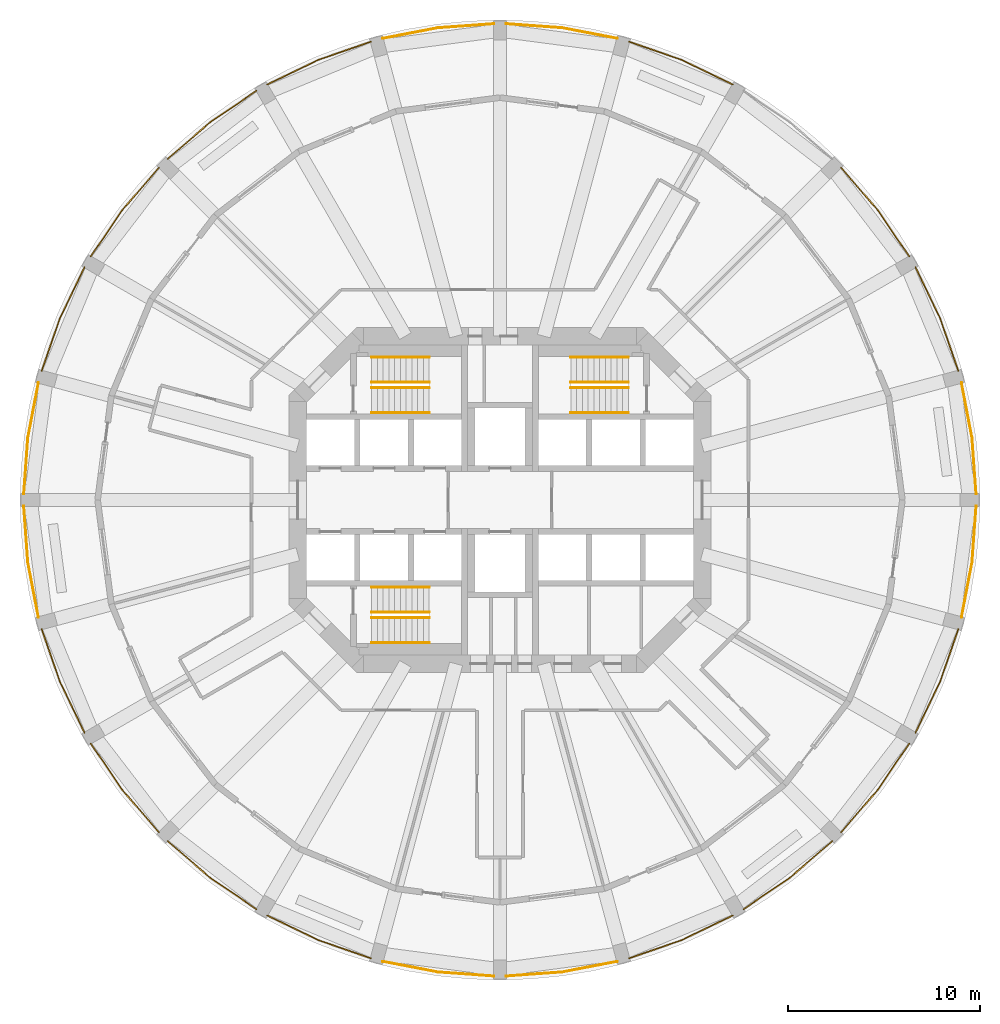
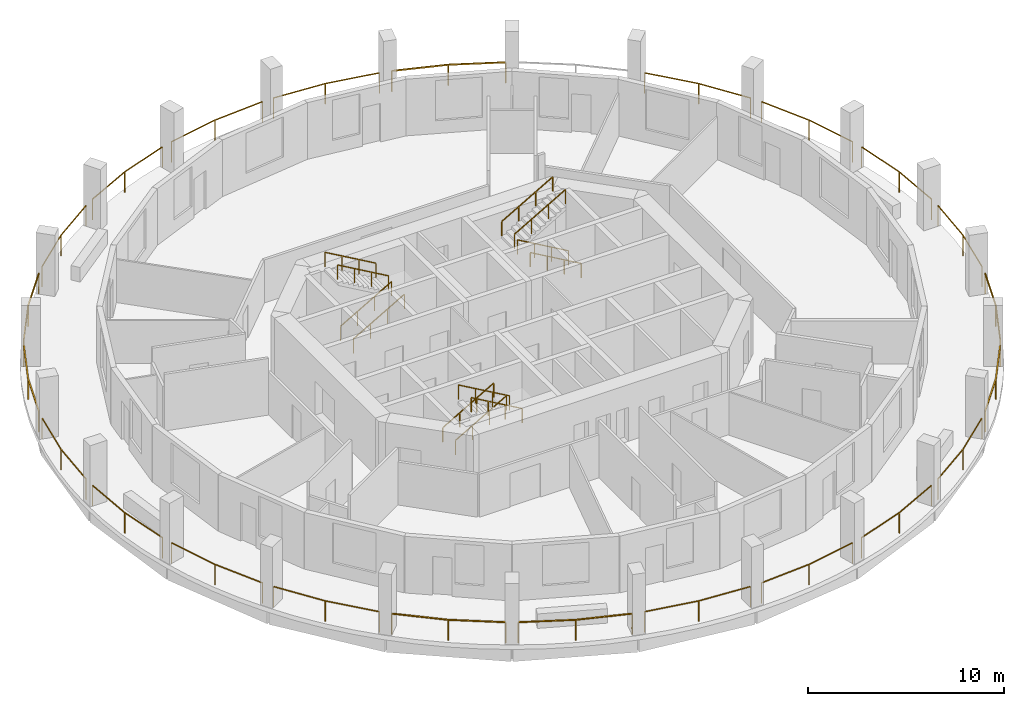
# One storey, part 7 of 8: 35 railings.
"""IFC4 building model written with IfcOpenShell, lengths in metres."""

from ifc_helpers import new_model, si_unit, direction, frame, origin, origin_2d, place, context, subcontext, project, spatial, rectangle, extrude, material, type_object, element, save


model = new_model("IFC4")

# Units and contexts
model_context = context("Model", 3, precision=1e-05, world=origin(), true_north=direction((0.0, 1.0)))
body_context = subcontext(model_context, "Body", "Model", "MODEL_VIEW")
ifc_project = project(units=[si_unit("LENGTHUNIT", "METRE"), si_unit("AREAUNIT", "SQUARE_METRE"), si_unit("VOLUMEUNIT", "CUBIC_METRE"), si_unit("PLANEANGLEUNIT", "RADIAN"), si_unit("MASSUNIT", "GRAM", prefix="KILO")], contexts=[model_context])

# Site, building, storey
site_placement = place(None, origin())
site = spatial("IfcSite", under=ifc_project, at=site_placement, CompositionType="ELEMENT")
building_placement = place(site_placement, origin())
building = spatial("IfcBuilding", under=site, at=building_placement, Name="Torre Triforio", CompositionType="ELEMENT")
storey_placement = place(building_placement, frame((0.0, 0.0, 123.800048828125)))
storey = spatial("IfcBuildingStorey", under=building, at=storey_placement, Name="L27", CompositionType="ELEMENT", Elevation=123.800048828125)

# Railings
ifc_material = material(Name="Stainless steel AISI 316", Category="steel")
railing_type_1 = type_object("IfcRailingType", Name="HANDRAIL 920", PredefinedType="HANDRAIL", material=ifc_material)
for number, where, name in (
    (1, (-6.699951171875, 4.550048828125, 0.172607421875), "Handrail ST1"),
    (2, (-6.699951171875, 5.85009765625, 0.172607421875), "Handrail ST1"),
):
    element("IfcRailing", number, at=place(storey_placement, frame(where)), inside=storey, type_object=railing_type_1, Name=name, PredefinedType="HANDRAIL", context=body_context, shape_type="SweptSolid", body=[
        extrude(rectangle(XDim=0.048095703125, YDim=0.048095703125, at=origin_2d()), frame((0.0, 0.0, 0.89599609375), z_axis=(0.866619684472, 0.0, 0.498969260062), x_axis=(0.0, 1.0, 0.0)), (0.0, 0.0, 1.0), 3.461669921875),
        extrude(rectangle(XDim=0.0419921875, YDim=0.0419921875, at=origin_2d()), origin(), (0.0, 0.0, 1.0), 0.871826171875),
        extrude(rectangle(XDim=0.0419921875, YDim=0.0419921875, at=origin_2d()), frame((1.0, 0.0, 0.57568359375)), (0.0, 0.0, 1.0), 0.871826171875),
        extrude(rectangle(XDim=0.0419921875, YDim=0.0419921875, at=origin_2d()), frame((2.0, 0.0, 1.151611328125)), (0.0, 0.0, 1.0), 0.871826171875),
        extrude(rectangle(XDim=0.0419921875, YDim=0.0419921875, at=origin_2d()), frame((3.0, 0.0, 1.727294921875)), (0.0, 0.0, 1.0), 0.871826171875),
    ])
for number, where, name in (
    (3, (-3.699951171875, 7.449951171875, 2.07275390625), "Handrail ST1"),
    (4, (-3.699951171875, 6.14990234375, 2.07275390625), "Handrail ST1"),
    (5, (6.699951171875, 4.550048828125, 0.172607421875), "Handrail ST2"),
    (6, (6.699951171875, 5.85009765625, 0.172607421875), "Handrail ST2"),
):
    element("IfcRailing", number, at=place(storey_placement, frame(where)), inside=storey, type_object=railing_type_1, Name=name, PredefinedType="HANDRAIL", context=body_context, shape_type="SweptSolid", body=[
        extrude(rectangle(XDim=0.048095703125, YDim=0.048095703125, at=origin_2d()), frame((0.0, 0.0, 0.89599609375), z_axis=(-0.866619684472, 0.0, 0.498969260062), x_axis=(0.0, -1.0, 0.0)), (0.0, 0.0, 1.0), 3.461669921875),
        extrude(rectangle(XDim=0.0419921875, YDim=0.0419921875, at=origin_2d()), origin(), (0.0, 0.0, 1.0), 0.871826171875),
        extrude(rectangle(XDim=0.0419921875, YDim=0.0419921875, at=origin_2d()), frame((-1.0, 0.0, 0.57568359375)), (0.0, 0.0, 1.0), 0.871826171875),
        extrude(rectangle(XDim=0.0419921875, YDim=0.0419921875, at=origin_2d()), frame((-2.0, 0.0, 1.151611328125)), (0.0, 0.0, 1.0), 0.871826171875),
        extrude(rectangle(XDim=0.0419921875, YDim=0.0419921875, at=origin_2d()), frame((-3.0, 0.0, 1.727294921875)), (0.0, 0.0, 1.0), 0.871826171875),
    ])
for number, where, name in (
    (7, (3.699951171875, 7.449951171875, 2.07275390625), "Handrail ST2"),
    (8, (3.699951171875, 6.14990234375, 2.07275390625), "Handrail ST2"),
    (9, (-6.699951171875, -4.550048828125, 0.172607421875), "Handrail ST3"),
    (10, (-6.699951171875, -5.85009765625, 0.172607421875), "Handrail ST3"),
):
    element("IfcRailing", number, at=place(storey_placement, frame(where)), inside=storey, type_object=railing_type_1, Name=name, PredefinedType="HANDRAIL", context=body_context, shape_type="SweptSolid", body=[
        extrude(rectangle(XDim=0.048095703125, YDim=0.048095703125, at=origin_2d()), frame((0.0, 0.0, 0.89599609375), z_axis=(0.866619684472, 0.0, 0.498969260062), x_axis=(0.0, 1.0, 0.0)), (0.0, 0.0, 1.0), 3.461669921875),
        extrude(rectangle(XDim=0.0419921875, YDim=0.0419921875, at=origin_2d()), origin(), (0.0, 0.0, 1.0), 0.871826171875),
        extrude(rectangle(XDim=0.0419921875, YDim=0.0419921875, at=origin_2d()), frame((1.0, 0.0, 0.57568359375)), (0.0, 0.0, 1.0), 0.871826171875),
        extrude(rectangle(XDim=0.0419921875, YDim=0.0419921875, at=origin_2d()), frame((2.0, 0.0, 1.151611328125)), (0.0, 0.0, 1.0), 0.871826171875),
        extrude(rectangle(XDim=0.0419921875, YDim=0.0419921875, at=origin_2d()), frame((3.0, 0.0, 1.727294921875)), (0.0, 0.0, 1.0), 0.871826171875),
    ])
for number, where, name in (
    (11, (-3.699951171875, -7.449951171875, 2.07275390625), "Handrail ST3"),
    (12, (-3.699951171875, -6.14990234375, 2.07275390625), "Handrail ST3"),
):
    element("IfcRailing", number, at=place(storey_placement, frame(where)), inside=storey, type_object=railing_type_1, Name=name, PredefinedType="HANDRAIL", context=body_context, shape_type="SweptSolid", body=[
        extrude(rectangle(XDim=0.048095703125, YDim=0.048095703125, at=origin_2d()), frame((0.0, 0.0, 0.89599609375), z_axis=(-0.866619684472, 0.0, 0.498969260062), x_axis=(0.0, -1.0, 0.0)), (0.0, 0.0, 1.0), 3.461669921875),
        extrude(rectangle(XDim=0.0419921875, YDim=0.0419921875, at=origin_2d()), origin(), (0.0, 0.0, 1.0), 0.871826171875),
        extrude(rectangle(XDim=0.0419921875, YDim=0.0419921875, at=origin_2d()), frame((-1.0, 0.0, 0.57568359375)), (0.0, 0.0, 1.0), 0.871826171875),
        extrude(rectangle(XDim=0.0419921875, YDim=0.0419921875, at=origin_2d()), frame((-2.0, 0.0, 1.151611328125)), (0.0, 0.0, 1.0), 0.871826171875),
        extrude(rectangle(XDim=0.0419921875, YDim=0.0419921875, at=origin_2d()), frame((-3.0, 0.0, 1.727294921875)), (0.0, 0.0, 1.0), 0.871826171875),
    ])
railing_type_2 = type_object("IfcRailingType", Name="Loggia guard 1300", PredefinedType="GUARDRAIL", material=ifc_material)
railing_1_placement = place(storey_placement, frame((24.85009765625, 0.320068359375, 0.0)))
element("IfcRailing", 13, at=railing_1_placement, inside=storey, type_object=railing_type_2, Name="Loggia guard L27 bay 01", PredefinedType="GUARDRAIL", context=body_context, shape_type="SweptSolid", body=[
    extrude(rectangle(XDim=0.050048828125, YDim=0.050048828125, at=origin_2d()), frame((0.0, 0.0, 1.27490234375), z_axis=(-0.072543227511, 0.997365269168, 0.0), x_axis=(-0.997365269168, -0.072543227511, 0.0)), (0.0, 0.0, 1.0), 2.931396484375),
    extrude(rectangle(XDim=0.050048828125, YDim=0.050048828125, at=origin_2d()), frame((-0.212646484375, 2.923583984375, 1.27490234375), z_axis=(-0.188068851895, 0.982155846568, 0.0), x_axis=(-0.982155846568, -0.188068851895, 0.0)), (0.0, 0.0, 1.0), 2.93115234375),
    extrude(rectangle(XDim=0.0400390625, YDim=0.0400390625, at=origin_2d()), origin(), (0.0, 0.0, 1.0), 1.25),
    extrude(rectangle(XDim=0.0400390625, YDim=0.0400390625, at=origin_2d()), frame((-0.212646484375, 2.923583984375, 0.0)), (0.0, 0.0, 1.0), 1.25),
    extrude(rectangle(XDim=0.0400390625, YDim=0.0400390625, at=origin_2d()), frame((-0.763916015625, 5.802490234375, 0.0)), (0.0, 0.0, 1.0), 1.25),
])
railing_2_placement = place(storey_placement, frame((23.92041015625, 6.74072265625, 0.0)))
element("IfcRailing", 14, at=railing_2_placement, inside=storey, type_object=railing_type_2, Name="Loggia guard L27 bay 02", PredefinedType="GUARDRAIL", context=body_context, shape_type="SweptSolid", body=[
    extrude(rectangle(XDim=0.050048828125, YDim=0.050048828125, at=origin_2d()), frame((0.0, 0.0, 1.27490234375), z_axis=(-0.328145883403, 0.944627058264, 0.0), x_axis=(-0.944627058264, -0.328145883403, 0.0)), (0.0, 0.0, 1.0), 2.931396484375),
    extrude(rectangle(XDim=0.050048828125, YDim=0.050048828125, at=origin_2d()), frame((-0.9619140625, 2.76904296875, 1.27490234375), z_axis=(-0.435917913275, 0.899986429279, 0.0), x_axis=(-0.899986429279, -0.435917913275, 0.0)), (0.0, 0.0, 1.0), 2.931396484375),
    extrude(rectangle(XDim=0.0400390625, YDim=0.0400390625, at=origin_2d()), origin(), (0.0, 0.0, 1.0), 1.25),
    extrude(rectangle(XDim=0.0400390625, YDim=0.0400390625, at=origin_2d()), frame((-0.9619140625, 2.76904296875, 0.0)), (0.0, 0.0, 1.0), 1.25),
    extrude(rectangle(XDim=0.0400390625, YDim=0.0400390625, at=origin_2d()), frame((-2.23974609375, 5.4072265625, 0.0)), (0.0, 0.0, 1.0), 1.25),
])
railing_3_placement = place(storey_placement, frame((21.360595703125, 12.7021484375, 0.0)))
element("IfcRailing", 15, at=railing_3_placement, inside=storey, type_object=railing_type_2, Name="Loggia guard L27 bay 03", PredefinedType="GUARDRAIL", context=body_context, shape_type="SweptSolid", body=[
    extrude(rectangle(XDim=0.050048828125, YDim=0.050048828125, at=origin_2d()), frame((0.0, 0.0, 1.27490234375), z_axis=(-0.561466791934, 0.827499269821, 0.0), x_axis=(-0.827499269821, -0.561466791934, 0.0)), (0.0, 0.0, 1.0), 2.93115234375),
    extrude(rectangle(XDim=0.050048828125, YDim=0.050048828125, at=origin_2d()), frame((-1.645751953125, 2.425537109375, 1.27490234375), z_axis=(-0.653981928353, 0.756510170049, 0.0), x_axis=(-0.756510170049, -0.653981928353, 0.0)), (0.0, 0.0, 1.0), 2.93115234375),
    extrude(rectangle(XDim=0.0400390625, YDim=0.0400390625, at=origin_2d()), origin(), (0.0, 0.0, 1.0), 1.25),
    extrude(rectangle(XDim=0.0400390625, YDim=0.0400390625, at=origin_2d()), frame((-1.645751953125, 2.425537109375, 0.0)), (0.0, 0.0, 1.0), 1.25),
    extrude(rectangle(XDim=0.0400390625, YDim=0.0400390625, at=origin_2d()), frame((-3.562744140625, 4.64306640625, 0.0)), (0.0, 0.0, 1.0), 1.25),
])
railing_4_placement = place(storey_placement, frame((12.14794921875, 21.6806640625, 0.0)))
element("IfcRailing", 16, at=railing_4_placement, inside=storey, type_object=railing_type_2, Name="Loggia guard L27 bay 05", PredefinedType="GUARDRAIL", context=body_context, shape_type="SweptSolid", body=[
    extrude(rectangle(XDim=0.050048828125, YDim=0.050048828125, at=origin_2d()), frame((0.0, 0.0, 1.27490234375), z_axis=(-0.899986429279, 0.435917913275, 0.0), x_axis=(-0.435917913275, -0.899986429279, 0.0)), (0.0, 0.0, 1.0), 2.931396484375),
    extrude(rectangle(XDim=0.050048828125, YDim=0.050048828125, at=origin_2d()), frame((-2.63818359375, 1.27783203125, 1.27490234375), z_axis=(-0.944627058264, 0.328145883403, 0.0), x_axis=(-0.328145883403, -0.944627058264, 0.0)), (0.0, 0.0, 1.0), 2.931396484375),
    extrude(rectangle(XDim=0.0400390625, YDim=0.0400390625, at=origin_2d()), origin(), (0.0, 0.0, 1.0), 1.25),
    extrude(rectangle(XDim=0.0400390625, YDim=0.0400390625, at=origin_2d()), frame((-2.63818359375, 1.27783203125, 0.0)), (0.0, 0.0, 1.0), 1.25),
    extrude(rectangle(XDim=0.0400390625, YDim=0.0400390625, at=origin_2d()), frame((-5.4072265625, 2.23974609375, 0.0)), (0.0, 0.0, 1.0), 1.25),
])
railing_5_placement = place(storey_placement, frame((6.12255859375, 24.086181640625, 0.0)))
element("IfcRailing", 17, at=railing_5_placement, inside=storey, type_object=railing_type_2, Name="Loggia guard L27 bay 06", PredefinedType="GUARDRAIL", context=body_context, shape_type="SweptSolid", body=[
    extrude(rectangle(XDim=0.050048828125, YDim=0.050048828125, at=origin_2d()), frame((0.0, 0.0, 1.27490234375), z_axis=(-0.982155846568, 0.188068851895, 0.0), x_axis=(-0.188068851895, -0.982155846568, 0.0)), (0.0, 0.0, 1.0), 2.93115234375),
    extrude(rectangle(XDim=0.050048828125, YDim=0.050048828125, at=origin_2d()), frame((-2.87890625, 0.55126953125, 1.27490234375), z_axis=(-0.997365269168, 0.072543227511, 0.0), x_axis=(-0.072543227511, -0.997365269168, 0.0)), (0.0, 0.0, 1.0), 2.931396484375),
    extrude(rectangle(XDim=0.0400390625, YDim=0.0400390625, at=origin_2d()), origin(), (0.0, 0.0, 1.0), 1.25),
    extrude(rectangle(XDim=0.0400390625, YDim=0.0400390625, at=origin_2d()), frame((-2.87890625, 0.55126953125, 0.0)), (0.0, 0.0, 1.0), 1.25),
    extrude(rectangle(XDim=0.0400390625, YDim=0.0400390625, at=origin_2d()), frame((-5.802490234375, 0.763916015625, 0.0)), (0.0, 0.0, 1.0), 1.25),
])
railing_6_placement = place(storey_placement, frame((-0.320068359375, 24.85009765625, 0.0)))
element("IfcRailing", 18, at=railing_6_placement, inside=storey, type_object=railing_type_2, Name="Loggia guard L27 bay 07", PredefinedType="GUARDRAIL", context=body_context, shape_type="SweptSolid", body=[
    extrude(rectangle(XDim=0.050048828125, YDim=0.050048828125, at=origin_2d()), frame((0.0, 0.0, 1.27490234375), z_axis=(-0.997365269168, -0.072543227511, 0.0), x_axis=(0.072543227511, -0.997365269168, 0.0)), (0.0, 0.0, 1.0), 2.931396484375),
    extrude(rectangle(XDim=0.050048828125, YDim=0.050048828125, at=origin_2d()), frame((-2.923583984375, -0.212646484375, 1.27490234375), z_axis=(-0.982155846568, -0.188068851895, 0.0), x_axis=(0.188068851895, -0.982155846568, 0.0)), (0.0, 0.0, 1.0), 2.93115234375),
    extrude(rectangle(XDim=0.0400390625, YDim=0.0400390625, at=origin_2d()), origin(), (0.0, 0.0, 1.0), 1.25),
    extrude(rectangle(XDim=0.0400390625, YDim=0.0400390625, at=origin_2d()), frame((-2.923583984375, -0.212646484375, 0.0)), (0.0, 0.0, 1.0), 1.25),
    extrude(rectangle(XDim=0.0400390625, YDim=0.0400390625, at=origin_2d()), frame((-5.802490234375, -0.763916015625, 0.0)), (0.0, 0.0, 1.0), 1.25),
])
railing_7_placement = place(storey_placement, frame((-6.74072265625, 23.92041015625, 0.0)))
element("IfcRailing", 19, at=railing_7_placement, inside=storey, type_object=railing_type_2, Name="Loggia guard L27 bay 08", PredefinedType="GUARDRAIL", context=body_context, shape_type="SweptSolid", body=[
    extrude(rectangle(XDim=0.050048828125, YDim=0.050048828125, at=origin_2d()), frame((0.0, 0.0, 1.27490234375), z_axis=(-0.944627058264, -0.328145883403, 0.0), x_axis=(0.328145883403, -0.944627058264, 0.0)), (0.0, 0.0, 1.0), 2.931396484375),
    extrude(rectangle(XDim=0.050048828125, YDim=0.050048828125, at=origin_2d()), frame((-2.76904296875, -0.9619140625, 1.27490234375), z_axis=(-0.899986429279, -0.435917913275, 0.0), x_axis=(0.435917913275, -0.899986429279, 0.0)), (0.0, 0.0, 1.0), 2.931396484375),
    extrude(rectangle(XDim=0.0400390625, YDim=0.0400390625, at=origin_2d()), origin(), (0.0, 0.0, 1.0), 1.25),
    extrude(rectangle(XDim=0.0400390625, YDim=0.0400390625, at=origin_2d()), frame((-2.76904296875, -0.9619140625, 0.0)), (0.0, 0.0, 1.0), 1.25),
    extrude(rectangle(XDim=0.0400390625, YDim=0.0400390625, at=origin_2d()), frame((-5.4072265625, -2.23974609375, 0.0)), (0.0, 0.0, 1.0), 1.25),
])
railing_8_placement = place(storey_placement, frame((-12.7021484375, 21.360595703125, 0.0)))
element("IfcRailing", 20, at=railing_8_placement, inside=storey, type_object=railing_type_2, Name="Loggia guard L27 bay 09", PredefinedType="GUARDRAIL", context=body_context, shape_type="SweptSolid", body=[
    extrude(rectangle(XDim=0.050048828125, YDim=0.050048828125, at=origin_2d()), frame((0.0, 0.0, 1.27490234375), z_axis=(-0.827499269821, -0.561466791934, 0.0), x_axis=(0.561466791934, -0.827499269821, 0.0)), (0.0, 0.0, 1.0), 2.93115234375),
    extrude(rectangle(XDim=0.050048828125, YDim=0.050048828125, at=origin_2d()), frame((-2.425537109375, -1.645751953125, 1.27490234375), z_axis=(-0.756510170049, -0.653981928353, 0.0), x_axis=(0.653981928353, -0.756510170049, 0.0)), (0.0, 0.0, 1.0), 2.93115234375),
    extrude(rectangle(XDim=0.0400390625, YDim=0.0400390625, at=origin_2d()), origin(), (0.0, 0.0, 1.0), 1.25),
    extrude(rectangle(XDim=0.0400390625, YDim=0.0400390625, at=origin_2d()), frame((-2.425537109375, -1.645751953125, 0.0)), (0.0, 0.0, 1.0), 1.25),
    extrude(rectangle(XDim=0.0400390625, YDim=0.0400390625, at=origin_2d()), frame((-4.64306640625, -3.562744140625, 0.0)), (0.0, 0.0, 1.0), 1.25),
])
railing_9_placement = place(storey_placement, frame((-17.7978515625, 17.34521484375, 0.0)))
element("IfcRailing", 21, at=railing_9_placement, inside=storey, type_object=railing_type_2, Name="Loggia guard L27 bay 10", PredefinedType="GUARDRAIL", context=body_context, shape_type="SweptSolid", body=[
    extrude(rectangle(XDim=0.050048828125, YDim=0.050048828125, at=origin_2d()), frame((0.0, 0.0, 1.27490234375), z_axis=(-0.653981928353, -0.756510170049, 0.0), x_axis=(0.756510170049, -0.653981928353, 0.0)), (0.0, 0.0, 1.0), 2.93115234375),
    extrude(rectangle(XDim=0.050048828125, YDim=0.050048828125, at=origin_2d()), frame((-1.9169921875, -2.217529296875, 1.27490234375), z_axis=(-0.561466791934, -0.827499269821, 0.0), x_axis=(0.827499269821, -0.561466791934, 0.0)), (0.0, 0.0, 1.0), 2.93115234375),
    extrude(rectangle(XDim=0.0400390625, YDim=0.0400390625, at=origin_2d()), origin(), (0.0, 0.0, 1.0), 1.25),
    extrude(rectangle(XDim=0.0400390625, YDim=0.0400390625, at=origin_2d()), frame((-1.9169921875, -2.217529296875, 0.0)), (0.0, 0.0, 1.0), 1.25),
    extrude(rectangle(XDim=0.0400390625, YDim=0.0400390625, at=origin_2d()), frame((-3.562744140625, -4.64306640625, 0.0)), (0.0, 0.0, 1.0), 1.25),
])
railing_10_placement = place(storey_placement, frame((-21.6806640625, 12.14794921875, 0.0)))
element("IfcRailing", 22, at=railing_10_placement, inside=storey, type_object=railing_type_2, Name="Loggia guard L27 bay 11", PredefinedType="GUARDRAIL", context=body_context, shape_type="SweptSolid", body=[
    extrude(rectangle(XDim=0.050048828125, YDim=0.050048828125, at=origin_2d()), frame((0.0, 0.0, 1.27490234375), z_axis=(-0.435917913275, -0.899986429279, 0.0), x_axis=(0.899986429279, -0.435917913275, 0.0)), (0.0, 0.0, 1.0), 2.931396484375),
    extrude(rectangle(XDim=0.050048828125, YDim=0.050048828125, at=origin_2d()), frame((-1.27783203125, -2.63818359375, 1.27490234375), z_axis=(-0.328145883403, -0.944627058264, 0.0), x_axis=(0.944627058264, -0.328145883403, 0.0)), (0.0, 0.0, 1.0), 2.931396484375),
    extrude(rectangle(XDim=0.0400390625, YDim=0.0400390625, at=origin_2d()), origin(), (0.0, 0.0, 1.0), 1.25),
    extrude(rectangle(XDim=0.0400390625, YDim=0.0400390625, at=origin_2d()), frame((-1.27783203125, -2.63818359375, 0.0)), (0.0, 0.0, 1.0), 1.25),
    extrude(rectangle(XDim=0.0400390625, YDim=0.0400390625, at=origin_2d()), frame((-2.23974609375, -5.4072265625, 0.0)), (0.0, 0.0, 1.0), 1.25),
])
railing_11_placement = place(storey_placement, frame((-24.086181640625, 6.12255859375, 0.0)))
element("IfcRailing", 23, at=railing_11_placement, inside=storey, type_object=railing_type_2, Name="Loggia guard L27 bay 12", PredefinedType="GUARDRAIL", context=body_context, shape_type="SweptSolid", body=[
    extrude(rectangle(XDim=0.050048828125, YDim=0.050048828125, at=origin_2d()), frame((0.0, 0.0, 1.27490234375), z_axis=(-0.188068851895, -0.982155846568, 0.0), x_axis=(0.982155846568, -0.188068851895, 0.0)), (0.0, 0.0, 1.0), 2.93115234375),
    extrude(rectangle(XDim=0.050048828125, YDim=0.050048828125, at=origin_2d()), frame((-0.55126953125, -2.87890625, 1.27490234375), z_axis=(-0.072543227511, -0.997365269168, 0.0), x_axis=(0.997365269168, -0.072543227511, 0.0)), (0.0, 0.0, 1.0), 2.931396484375),
    extrude(rectangle(XDim=0.0400390625, YDim=0.0400390625, at=origin_2d()), origin(), (0.0, 0.0, 1.0), 1.25),
    extrude(rectangle(XDim=0.0400390625, YDim=0.0400390625, at=origin_2d()), frame((-0.55126953125, -2.87890625, 0.0)), (0.0, 0.0, 1.0), 1.25),
    extrude(rectangle(XDim=0.0400390625, YDim=0.0400390625, at=origin_2d()), frame((-0.763916015625, -5.802490234375, 0.0)), (0.0, 0.0, 1.0), 1.25),
])
railing_12_placement = place(storey_placement, frame((-24.85009765625, -0.320068359375, 0.0)))
element("IfcRailing", 24, at=railing_12_placement, inside=storey, type_object=railing_type_2, Name="Loggia guard L27 bay 13", PredefinedType="GUARDRAIL", context=body_context, shape_type="SweptSolid", body=[
    extrude(rectangle(XDim=0.050048828125, YDim=0.050048828125, at=origin_2d()), frame((0.0, 0.0, 1.27490234375), z_axis=(0.072543227511, -0.997365269168, 0.0), x_axis=(0.997365269168, 0.072543227511, 0.0)), (0.0, 0.0, 1.0), 2.931396484375),
    extrude(rectangle(XDim=0.050048828125, YDim=0.050048828125, at=origin_2d()), frame((0.212646484375, -2.923583984375, 1.27490234375), z_axis=(0.188068851895, -0.982155846568, 0.0), x_axis=(0.982155846568, 0.188068851895, 0.0)), (0.0, 0.0, 1.0), 2.93115234375),
    extrude(rectangle(XDim=0.0400390625, YDim=0.0400390625, at=origin_2d()), origin(), (0.0, 0.0, 1.0), 1.25),
    extrude(rectangle(XDim=0.0400390625, YDim=0.0400390625, at=origin_2d()), frame((0.212646484375, -2.923583984375, 0.0)), (0.0, 0.0, 1.0), 1.25),
    extrude(rectangle(XDim=0.0400390625, YDim=0.0400390625, at=origin_2d()), frame((0.763916015625, -5.802490234375, 0.0)), (0.0, 0.0, 1.0), 1.25),
])
railing_13_placement = place(storey_placement, frame((-23.92041015625, -6.74072265625, 0.0)))
element("IfcRailing", 25, at=railing_13_placement, inside=storey, type_object=railing_type_2, Name="Loggia guard L27 bay 14", PredefinedType="GUARDRAIL", context=body_context, shape_type="SweptSolid", body=[
    extrude(rectangle(XDim=0.050048828125, YDim=0.050048828125, at=origin_2d()), frame((0.0, 0.0, 1.27490234375), z_axis=(0.328145883403, -0.944627058264, 0.0), x_axis=(0.944627058264, 0.328145883403, 0.0)), (0.0, 0.0, 1.0), 2.931396484375),
    extrude(rectangle(XDim=0.050048828125, YDim=0.050048828125, at=origin_2d()), frame((0.9619140625, -2.76904296875, 1.27490234375), z_axis=(0.435917913275, -0.899986429279, 0.0), x_axis=(0.899986429279, 0.435917913275, 0.0)), (0.0, 0.0, 1.0), 2.931396484375),
    extrude(rectangle(XDim=0.0400390625, YDim=0.0400390625, at=origin_2d()), origin(), (0.0, 0.0, 1.0), 1.25),
    extrude(rectangle(XDim=0.0400390625, YDim=0.0400390625, at=origin_2d()), frame((0.9619140625, -2.76904296875, 0.0)), (0.0, 0.0, 1.0), 1.25),
    extrude(rectangle(XDim=0.0400390625, YDim=0.0400390625, at=origin_2d()), frame((2.23974609375, -5.4072265625, 0.0)), (0.0, 0.0, 1.0), 1.25),
])
railing_14_placement = place(storey_placement, frame((-21.360595703125, -12.7021484375, 0.0)))
element("IfcRailing", 26, at=railing_14_placement, inside=storey, type_object=railing_type_2, Name="Loggia guard L27 bay 15", PredefinedType="GUARDRAIL", context=body_context, shape_type="SweptSolid", body=[
    extrude(rectangle(XDim=0.050048828125, YDim=0.050048828125, at=origin_2d()), frame((0.0, 0.0, 1.27490234375), z_axis=(0.561466791934, -0.827499269821, 0.0), x_axis=(0.827499269821, 0.561466791934, 0.0)), (0.0, 0.0, 1.0), 2.93115234375),
    extrude(rectangle(XDim=0.050048828125, YDim=0.050048828125, at=origin_2d()), frame((1.645751953125, -2.425537109375, 1.27490234375), z_axis=(0.653981928353, -0.756510170049, 0.0), x_axis=(0.756510170049, 0.653981928353, 0.0)), (0.0, 0.0, 1.0), 2.93115234375),
    extrude(rectangle(XDim=0.0400390625, YDim=0.0400390625, at=origin_2d()), origin(), (0.0, 0.0, 1.0), 1.25),
    extrude(rectangle(XDim=0.0400390625, YDim=0.0400390625, at=origin_2d()), frame((1.645751953125, -2.425537109375, 0.0)), (0.0, 0.0, 1.0), 1.25),
    extrude(rectangle(XDim=0.0400390625, YDim=0.0400390625, at=origin_2d()), frame((3.562744140625, -4.64306640625, 0.0)), (0.0, 0.0, 1.0), 1.25),
])
railing_15_placement = place(storey_placement, frame((-17.34521484375, -17.7978515625, 0.0)))
element("IfcRailing", 27, at=railing_15_placement, inside=storey, type_object=railing_type_2, Name="Loggia guard L27 bay 16", PredefinedType="GUARDRAIL", context=body_context, shape_type="SweptSolid", body=[
    extrude(rectangle(XDim=0.050048828125, YDim=0.050048828125, at=origin_2d()), frame((0.0, 0.0, 1.27490234375), z_axis=(0.756510170049, -0.653981928353, 0.0), x_axis=(0.653981928353, 0.756510170049, 0.0)), (0.0, 0.0, 1.0), 2.93115234375),
    extrude(rectangle(XDim=0.050048828125, YDim=0.050048828125, at=origin_2d()), frame((2.217529296875, -1.9169921875, 1.27490234375), z_axis=(0.827499269821, -0.561466791934, 0.0), x_axis=(0.561466791934, 0.827499269821, 0.0)), (0.0, 0.0, 1.0), 2.93115234375),
    extrude(rectangle(XDim=0.0400390625, YDim=0.0400390625, at=origin_2d()), origin(), (0.0, 0.0, 1.0), 1.25),
    extrude(rectangle(XDim=0.0400390625, YDim=0.0400390625, at=origin_2d()), frame((2.217529296875, -1.9169921875, 0.0)), (0.0, 0.0, 1.0), 1.25),
    extrude(rectangle(XDim=0.0400390625, YDim=0.0400390625, at=origin_2d()), frame((4.64306640625, -3.562744140625, 0.0)), (0.0, 0.0, 1.0), 1.25),
])
railing_16_placement = place(storey_placement, frame((-12.14794921875, -21.6806640625, 0.0)))
element("IfcRailing", 28, at=railing_16_placement, inside=storey, type_object=railing_type_2, Name="Loggia guard L27 bay 17", PredefinedType="GUARDRAIL", context=body_context, shape_type="SweptSolid", body=[
    extrude(rectangle(XDim=0.050048828125, YDim=0.050048828125, at=origin_2d()), frame((0.0, 0.0, 1.27490234375), z_axis=(0.899986429279, -0.435917913275, 0.0), x_axis=(0.435917913275, 0.899986429279, 0.0)), (0.0, 0.0, 1.0), 2.931396484375),
    extrude(rectangle(XDim=0.050048828125, YDim=0.050048828125, at=origin_2d()), frame((2.63818359375, -1.27783203125, 1.27490234375), z_axis=(0.944627058264, -0.328145883403, 0.0), x_axis=(0.328145883403, 0.944627058264, 0.0)), (0.0, 0.0, 1.0), 2.931396484375),
    extrude(rectangle(XDim=0.0400390625, YDim=0.0400390625, at=origin_2d()), origin(), (0.0, 0.0, 1.0), 1.25),
    extrude(rectangle(XDim=0.0400390625, YDim=0.0400390625, at=origin_2d()), frame((2.63818359375, -1.27783203125, 0.0)), (0.0, 0.0, 1.0), 1.25),
    extrude(rectangle(XDim=0.0400390625, YDim=0.0400390625, at=origin_2d()), frame((5.4072265625, -2.23974609375, 0.0)), (0.0, 0.0, 1.0), 1.25),
])
railing_17_placement = place(storey_placement, frame((-6.12255859375, -24.086181640625, 0.0)))
element("IfcRailing", 29, at=railing_17_placement, inside=storey, type_object=railing_type_2, Name="Loggia guard L27 bay 18", PredefinedType="GUARDRAIL", context=body_context, shape_type="SweptSolid", body=[
    extrude(rectangle(XDim=0.050048828125, YDim=0.050048828125, at=origin_2d()), frame((0.0, 0.0, 1.27490234375), z_axis=(0.982155846568, -0.188068851895, 0.0), x_axis=(0.188068851895, 0.982155846568, 0.0)), (0.0, 0.0, 1.0), 2.93115234375),
    extrude(rectangle(XDim=0.050048828125, YDim=0.050048828125, at=origin_2d()), frame((2.87890625, -0.55126953125, 1.27490234375), z_axis=(0.997365269168, -0.072543227511, 0.0), x_axis=(0.072543227511, 0.997365269168, 0.0)), (0.0, 0.0, 1.0), 2.931396484375),
    extrude(rectangle(XDim=0.0400390625, YDim=0.0400390625, at=origin_2d()), origin(), (0.0, 0.0, 1.0), 1.25),
    extrude(rectangle(XDim=0.0400390625, YDim=0.0400390625, at=origin_2d()), frame((2.87890625, -0.55126953125, 0.0)), (0.0, 0.0, 1.0), 1.25),
    extrude(rectangle(XDim=0.0400390625, YDim=0.0400390625, at=origin_2d()), frame((5.802490234375, -0.763916015625, 0.0)), (0.0, 0.0, 1.0), 1.25),
])
railing_18_placement = place(storey_placement, frame((0.320068359375, -24.85009765625, 0.0)))
element("IfcRailing", 30, at=railing_18_placement, inside=storey, type_object=railing_type_2, Name="Loggia guard L27 bay 19", PredefinedType="GUARDRAIL", context=body_context, shape_type="SweptSolid", body=[
    extrude(rectangle(XDim=0.050048828125, YDim=0.050048828125, at=origin_2d()), frame((0.0, 0.0, 1.27490234375), z_axis=(0.997365269168, 0.072543227511, 0.0), x_axis=(-0.072543227511, 0.997365269168, 0.0)), (0.0, 0.0, 1.0), 2.931396484375),
    extrude(rectangle(XDim=0.050048828125, YDim=0.050048828125, at=origin_2d()), frame((2.923583984375, 0.212646484375, 1.27490234375), z_axis=(0.982155846568, 0.188068851895, 0.0), x_axis=(-0.188068851895, 0.982155846568, 0.0)), (0.0, 0.0, 1.0), 2.93115234375),
    extrude(rectangle(XDim=0.0400390625, YDim=0.0400390625, at=origin_2d()), origin(), (0.0, 0.0, 1.0), 1.25),
    extrude(rectangle(XDim=0.0400390625, YDim=0.0400390625, at=origin_2d()), frame((2.923583984375, 0.212646484375, 0.0)), (0.0, 0.0, 1.0), 1.25),
    extrude(rectangle(XDim=0.0400390625, YDim=0.0400390625, at=origin_2d()), frame((5.802490234375, 0.763916015625, 0.0)), (0.0, 0.0, 1.0), 1.25),
])
railing_19_placement = place(storey_placement, frame((6.74072265625, -23.92041015625, 0.0)))
element("IfcRailing", 31, at=railing_19_placement, inside=storey, type_object=railing_type_2, Name="Loggia guard L27 bay 20", PredefinedType="GUARDRAIL", context=body_context, shape_type="SweptSolid", body=[
    extrude(rectangle(XDim=0.050048828125, YDim=0.050048828125, at=origin_2d()), frame((0.0, 0.0, 1.27490234375), z_axis=(0.944627058264, 0.328145883403, 0.0), x_axis=(-0.328145883403, 0.944627058264, 0.0)), (0.0, 0.0, 1.0), 2.931396484375),
    extrude(rectangle(XDim=0.050048828125, YDim=0.050048828125, at=origin_2d()), frame((2.76904296875, 0.9619140625, 1.27490234375), z_axis=(0.899986429279, 0.435917913275, 0.0), x_axis=(-0.435917913275, 0.899986429279, 0.0)), (0.0, 0.0, 1.0), 2.931396484375),
    extrude(rectangle(XDim=0.0400390625, YDim=0.0400390625, at=origin_2d()), origin(), (0.0, 0.0, 1.0), 1.25),
    extrude(rectangle(XDim=0.0400390625, YDim=0.0400390625, at=origin_2d()), frame((2.76904296875, 0.9619140625, 0.0)), (0.0, 0.0, 1.0), 1.25),
    extrude(rectangle(XDim=0.0400390625, YDim=0.0400390625, at=origin_2d()), frame((5.4072265625, 2.23974609375, 0.0)), (0.0, 0.0, 1.0), 1.25),
])
railing_20_placement = place(storey_placement, frame((12.7021484375, -21.360595703125, 0.0)))
element("IfcRailing", 32, at=railing_20_placement, inside=storey, type_object=railing_type_2, Name="Loggia guard L27 bay 21", PredefinedType="GUARDRAIL", context=body_context, shape_type="SweptSolid", body=[
    extrude(rectangle(XDim=0.050048828125, YDim=0.050048828125, at=origin_2d()), frame((0.0, 0.0, 1.27490234375), z_axis=(0.827499269821, 0.561466791934, 0.0), x_axis=(-0.561466791934, 0.827499269821, 0.0)), (0.0, 0.0, 1.0), 2.93115234375),
    extrude(rectangle(XDim=0.050048828125, YDim=0.050048828125, at=origin_2d()), frame((2.425537109375, 1.645751953125, 1.27490234375), z_axis=(0.756510170049, 0.653981928353, 0.0), x_axis=(-0.653981928353, 0.756510170049, 0.0)), (0.0, 0.0, 1.0), 2.93115234375),
    extrude(rectangle(XDim=0.0400390625, YDim=0.0400390625, at=origin_2d()), origin(), (0.0, 0.0, 1.0), 1.25),
    extrude(rectangle(XDim=0.0400390625, YDim=0.0400390625, at=origin_2d()), frame((2.425537109375, 1.645751953125, 0.0)), (0.0, 0.0, 1.0), 1.25),
    extrude(rectangle(XDim=0.0400390625, YDim=0.0400390625, at=origin_2d()), frame((4.64306640625, 3.562744140625, 0.0)), (0.0, 0.0, 1.0), 1.25),
])
railing_21_placement = place(storey_placement, frame((17.7978515625, -17.34521484375, 0.0)))
element("IfcRailing", 33, at=railing_21_placement, inside=storey, type_object=railing_type_2, Name="Loggia guard L27 bay 22", PredefinedType="GUARDRAIL", context=body_context, shape_type="SweptSolid", body=[
    extrude(rectangle(XDim=0.050048828125, YDim=0.050048828125, at=origin_2d()), frame((0.0, 0.0, 1.27490234375), z_axis=(0.653981928353, 0.756510170049, 0.0), x_axis=(-0.756510170049, 0.653981928353, 0.0)), (0.0, 0.0, 1.0), 2.93115234375),
    extrude(rectangle(XDim=0.050048828125, YDim=0.050048828125, at=origin_2d()), frame((1.9169921875, 2.217529296875, 1.27490234375), z_axis=(0.561466791934, 0.827499269821, 0.0), x_axis=(-0.827499269821, 0.561466791934, 0.0)), (0.0, 0.0, 1.0), 2.93115234375),
    extrude(rectangle(XDim=0.0400390625, YDim=0.0400390625, at=origin_2d()), origin(), (0.0, 0.0, 1.0), 1.25),
    extrude(rectangle(XDim=0.0400390625, YDim=0.0400390625, at=origin_2d()), frame((1.9169921875, 2.217529296875, 0.0)), (0.0, 0.0, 1.0), 1.25),
    extrude(rectangle(XDim=0.0400390625, YDim=0.0400390625, at=origin_2d()), frame((3.562744140625, 4.64306640625, 0.0)), (0.0, 0.0, 1.0), 1.25),
])
railing_22_placement = place(storey_placement, frame((21.6806640625, -12.14794921875, 0.0)))
element("IfcRailing", 34, at=railing_22_placement, inside=storey, type_object=railing_type_2, Name="Loggia guard L27 bay 23", PredefinedType="GUARDRAIL", context=body_context, shape_type="SweptSolid", body=[
    extrude(rectangle(XDim=0.050048828125, YDim=0.050048828125, at=origin_2d()), frame((0.0, 0.0, 1.27490234375), z_axis=(0.435917913275, 0.899986429279, 0.0), x_axis=(-0.899986429279, 0.435917913275, 0.0)), (0.0, 0.0, 1.0), 2.931396484375),
    extrude(rectangle(XDim=0.050048828125, YDim=0.050048828125, at=origin_2d()), frame((1.27783203125, 2.63818359375, 1.27490234375), z_axis=(0.328145883403, 0.944627058264, 0.0), x_axis=(-0.944627058264, 0.328145883403, 0.0)), (0.0, 0.0, 1.0), 2.931396484375),
    extrude(rectangle(XDim=0.0400390625, YDim=0.0400390625, at=origin_2d()), origin(), (0.0, 0.0, 1.0), 1.25),
    extrude(rectangle(XDim=0.0400390625, YDim=0.0400390625, at=origin_2d()), frame((1.27783203125, 2.63818359375, 0.0)), (0.0, 0.0, 1.0), 1.25),
    extrude(rectangle(XDim=0.0400390625, YDim=0.0400390625, at=origin_2d()), frame((2.23974609375, 5.4072265625, 0.0)), (0.0, 0.0, 1.0), 1.25),
])
railing_23_placement = place(storey_placement, frame((24.086181640625, -6.12255859375, 0.0)))
element("IfcRailing", 35, at=railing_23_placement, inside=storey, type_object=railing_type_2, Name="Loggia guard L27 bay 24", PredefinedType="GUARDRAIL", context=body_context, shape_type="SweptSolid", body=[
    extrude(rectangle(XDim=0.050048828125, YDim=0.050048828125, at=origin_2d()), frame((0.0, 0.0, 1.27490234375), z_axis=(0.188068851895, 0.982155846568, 0.0), x_axis=(-0.982155846568, 0.188068851895, 0.0)), (0.0, 0.0, 1.0), 2.93115234375),
    extrude(rectangle(XDim=0.050048828125, YDim=0.050048828125, at=origin_2d()), frame((0.55126953125, 2.87890625, 1.27490234375), z_axis=(0.072543227511, 0.997365269168, 0.0), x_axis=(-0.997365269168, 0.072543227511, 0.0)), (0.0, 0.0, 1.0), 2.931396484375),
    extrude(rectangle(XDim=0.0400390625, YDim=0.0400390625, at=origin_2d()), origin(), (0.0, 0.0, 1.0), 1.25),
    extrude(rectangle(XDim=0.0400390625, YDim=0.0400390625, at=origin_2d()), frame((0.55126953125, 2.87890625, 0.0)), (0.0, 0.0, 1.0), 1.25),
    extrude(rectangle(XDim=0.0400390625, YDim=0.0400390625, at=origin_2d()), frame((0.763916015625, 5.802490234375, 0.0)), (0.0, 0.0, 1.0), 1.25),
])

save(model, "model.ifc")
